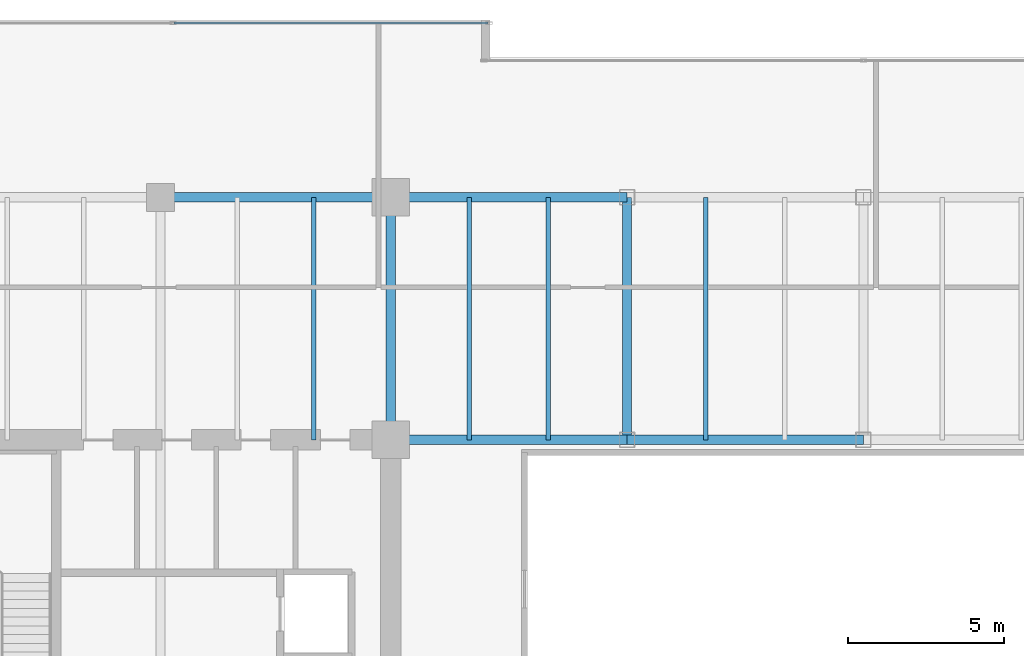
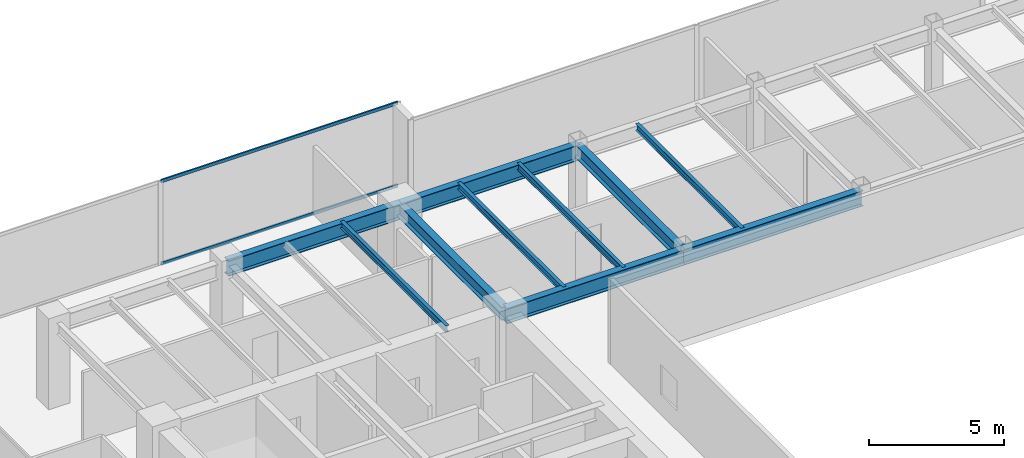
# One storey, part 15 of 30: 10 beams, 2 members, 1 element without a shape of its own.
"""IFC4 building model written with IfcOpenShell, lengths in metres."""

from ifc_helpers import new_model, si_unit, direction, frame, origin, origin_2d, place, context, subcontext, project, spatial, hollow_rectangle, i_section, extrude, source, transform, mapped, material, layer, layer_set, material_profile, profile_set, type_object, type_shapes, element, aggregate, save


model = new_model("IFC4")

# Units and contexts
model_context = context("Model", 3, precision=1e-05, world=origin(), true_north=direction((0.0, 1.0)))
body_context = subcontext(model_context, "Body", "Model", "MODEL_VIEW")
ifc_project = project(units=[si_unit("LENGTHUNIT", "METRE"), si_unit("AREAUNIT", "SQUARE_METRE"), si_unit("VOLUMEUNIT", "CUBIC_METRE"), si_unit("PLANEANGLEUNIT", "RADIAN"), si_unit("MASSUNIT", "GRAM", prefix="KILO")], contexts=[model_context])

# Site, building, storey
site_placement = place(None, origin())
site = spatial("IfcSite", under=ifc_project, at=site_placement, CompositionType="ELEMENT")
building_placement = place(site_placement, origin())
building = spatial("IfcBuilding", under=site, at=building_placement, Name="Haelvirn Gate Laboratories", CompositionType="ELEMENT")
storey_placement = place(building_placement, frame((0.0, 0.0, 187.10009765625)))
storey = spatial("IfcBuildingStorey", under=building, at=storey_placement, Name="L45", CompositionType="ELEMENT", Elevation=187.10009765625)

# Beams
ifc_material_1 = material(Name="Steel SM355", Category="steel")
ifc_material_profile_1 = material_profile(ifc_material_1, i_section(OverallWidth=0.300048828125, OverallDepth=0.699951171875, WebThickness=0.012939453125, FlangeThickness=0.02392578125, at=origin_2d()), Name="H-700x300x13x24")
ifc_profile_set_1 = profile_set([ifc_material_profile_1], Name="Steel SM355")
beam_type_1 = type_object("IfcBeamType", Name="BM-G-700", PredefinedType="BEAM", material=ifc_profile_set_1)
shared_shape_1 = source(origin(), body_context, "Body", "SweptSolid", [
    extrude(i_section(OverallWidth=0.300048828125, OverallDepth=0.699951171875, WebThickness=0.012939453125, FlangeThickness=0.02392578125, at=origin_2d()), origin(), (0.0, 0.0, 1.0), 7.39990234375),
])
beam_1_placement = place(storey_placement, frame((14.800048828125, 41.60009765625, 3.43994140625), z_axis=(1.0, 0.0, 0.0), x_axis=(0.0, 1.0, 0.0)))
element("IfcBeam", 1, at=beam_1_placement, inside=storey, type_object=beam_type_1, Name="L45 Primary Girder Y41.6 (14.8-22.2)", PredefinedType="BEAM", context=body_context, shape_type="MappedRepresentation", body=[
    mapped(shared_shape_1, transform((0.0, 0.0, 0.0), scale=1.0)),
])
shared_shape_2 = source(origin(), body_context, "Body", "SweptSolid", [
    extrude(i_section(OverallWidth=0.300048828125, OverallDepth=0.699951171875, WebThickness=0.012939453125, FlangeThickness=0.02392578125, at=origin_2d()), origin(), (0.0, 0.0, 1.0), 7.60009765625),
])
for number, where, z_axis, x_axis, name in (
    (2, (22.199951171875, 33.800048828125, 3.43994140625), (1.0, 0.0, 0.0), (0.0, 1.0, 0.0), "L45 Primary Girder Y33.8 (22.2-29.8)"),
    (3, (22.199951171875, 41.60009765625, 3.43994140625), (1.0, 0.0, 0.0), (0.0, 1.0, 0.0), "L45 Primary Girder Y41.6 (22.2-29.8)"),
):
    element("IfcBeam", number, at=place(storey_placement, frame(where, z_axis=z_axis, x_axis=x_axis)), inside=storey, type_object=beam_type_1, Name=name, PredefinedType="BEAM", context=body_context, shape_type="MappedRepresentation", body=[
        mapped(shared_shape_2, transform((0.0, 0.0, 0.0), scale=1.0)),
    ])
shared_shape_3 = source(origin(), body_context, "Body", "SweptSolid", [
    extrude(i_section(OverallWidth=0.300048828125, OverallDepth=0.699951171875, WebThickness=0.012939453125, FlangeThickness=0.02392578125, at=origin_2d()), origin(), (0.0, 0.0, 1.0), 7.599853515625),
])
type_shapes(beam_type_1, [shared_shape_1, shared_shape_2, shared_shape_3])
beam_2_placement = place(storey_placement, frame((29.800048828125, 33.800048828125, 3.43994140625), z_axis=(1.0, 0.0, 0.0), x_axis=(0.0, 1.0, 0.0)))
element("IfcBeam", 4, at=beam_2_placement, inside=storey, type_object=beam_type_1, Name="L45 Primary Girder Y33.8 (29.8-37.4)", PredefinedType="BEAM", context=body_context, shape_type="MappedRepresentation", body=[
    mapped(shared_shape_3, transform((0.0, 0.0, 0.0), scale=1.0)),
])
ifc_material_profile_2 = material_profile(ifc_material_1, i_section(OverallWidth=0.14990234375, OverallDepth=0.300048828125, WebThickness=0.006591796875, FlangeThickness=0.009033203125, at=origin_2d()), Name="H-300x150x6.5x9")
ifc_profile_set_2 = profile_set([ifc_material_profile_2], Name="Steel SM355")
beam_type_2 = type_object("IfcBeamType", Name="BM-J-300", PredefinedType="JOIST", material=ifc_profile_set_2)
shared_shape_4 = source(origin(), body_context, "Body", "SweptSolid", [
    extrude(i_section(OverallWidth=0.14990234375, OverallDepth=0.300048828125, WebThickness=0.006591796875, FlangeThickness=0.009033203125, at=origin_2d()), origin(), (0.0, 0.0, 1.0), 7.800048828125),
])
type_shapes(beam_type_2, [shared_shape_4])
for number, where, z_axis, x_axis, name in (
    (5, (19.72998046875, 33.800048828125, 3.639892578125), (0.0, 1.0, 0.0), (-1.0, 0.0, 0.0), "L45 Composite Lab Joist North X19.73"),
    (6, (24.72998046875, 33.800048828125, 3.639892578125), (0.0, 1.0, 0.0), (-1.0, 0.0, 0.0), "L45 Composite Lab Joist North X24.73"),
    (7, (27.27001953125, 33.800048828125, 3.639892578125), (0.0, 1.0, 0.0), (-1.0, 0.0, 0.0), "L45 Composite Lab Joist North X27.27"),
    (8, (32.330078125, 33.800048828125, 3.639892578125), (0.0, 1.0, 0.0), (-1.0, 0.0, 0.0), "L45 Composite Lab Joist North X32.33"),
):
    element("IfcBeam", number, at=place(storey_placement, frame(where, z_axis=z_axis, x_axis=x_axis)), inside=storey, type_object=beam_type_2, Name=name, PredefinedType="JOIST", context=body_context, shape_type="MappedRepresentation", body=[
        mapped(shared_shape_4, transform((0.0, 0.0, 0.0), scale=1.0)),
    ])
ifc_material_profile_3 = material_profile(ifc_material_1, i_section(OverallWidth=0.300048828125, OverallDepth=0.587890625, WebThickness=0.011962890625, FlangeThickness=0.02001953125, at=origin_2d()), Name="H-588x300x12x20")
ifc_profile_set_3 = profile_set([ifc_material_profile_3], Name="Steel SM355")
beam_type_3 = type_object("IfcBeamType", Name="BM-G-588", PredefinedType="BEAM", material=ifc_profile_set_3)
shared_shape_5 = source(origin(), body_context, "Body", "SweptSolid", [
    extrude(i_section(OverallWidth=0.300048828125, OverallDepth=0.587890625, WebThickness=0.011962890625, FlangeThickness=0.02001953125, at=origin_2d()), origin(), (0.0, 0.0, 1.0), 7.800048828125),
])
type_shapes(beam_type_3, [shared_shape_5])
for number, where, z_axis, x_axis, name in (
    (9, (22.199951171875, 33.800048828125, 3.495849609375), (0.0, 1.0, 0.0), (-1.0, 0.0, 0.0), "L45 Frame Girder X22.2 (33.8-41.6)"),
    (10, (29.800048828125, 33.800048828125, 3.495849609375), (0.0, 1.0, 0.0), (-1.0, 0.0, 0.0), "L45 Frame Girder X29.8 (33.8-41.6)"),
):
    element("IfcBeam", number, at=place(storey_placement, frame(where, z_axis=z_axis, x_axis=x_axis)), inside=storey, type_object=beam_type_3, Name=name, PredefinedType="BEAM", context=body_context, shape_type="MappedRepresentation", body=[
        mapped(shared_shape_5, transform((0.0, 0.0, 0.0), scale=1.0)),
    ])

# Curtain wall, members
ifc_material_2 = material(Name="Anodised bronze unitised aluminium & triple low-E glass", Category="aluminium")
ifc_layer = layer(ifc_material_2, 0.179931640625, Name="CW-SYS-3")
ifc_layer_set = layer_set([ifc_layer], Name="Anodised bronze unitised aluminium & triple low-E glass")
curtain_wall_type = type_object("IfcCurtainWallType", Name="CW-SYS-3", PredefinedType="NOTDEFINED", material=ifc_layer_set)
curtain_wall_placement = place(storey_placement, origin())
curtain_wall = element("IfcCurtainWall", 11, at=curtain_wall_placement, inside=storey, type_object=curtain_wall_type, Name="L45 Unitised Curtain Wall CW-L45-P0-E14-1", PredefinedType="NOTDEFINED")
ifc_material_3 = material(Name="Extruded aluminium 6063-T6 (anodised bronze)", Category="aluminium")
ifc_material_profile_4 = material_profile(ifc_material_3, hollow_rectangle(XDim=0.06494140625, YDim=0.139892578125, WallThickness=0.00390625, at=origin_2d()), Name="CWT-140x65x4")
ifc_profile_set_4 = profile_set([ifc_material_profile_4], Name="Extruded aluminium 6063-T6 (anodised bronze)")
member_type = type_object("IfcMemberType", Name="CWT-T140", PredefinedType="USERDEFINED", material=ifc_profile_set_4)
shared_shape_6 = source(origin(), body_context, "Body", "SweptSolid", [
    extrude(hollow_rectangle(XDim=0.06494140625, YDim=0.139892578125, WallThickness=0.00390625, at=origin_2d()), origin(), (0.0, 0.0, 1.0), 10.08740234375),
])
type_shapes(member_type, [shared_shape_6])
member_1_placement = place(storey_placement, frame((15.237548828125, 47.199951171875, 0.032470703125), z_axis=(1.0, 0.0, 0.0), x_axis=(0.0, 1.0, 0.0)))
member_1 = element("IfcMember", 12, at=member_1_placement, type_object=member_type, Name="CW3 transom 2.1", ObjectType="TRANSOM", PredefinedType="USERDEFINED", context=body_context, shape_type="MappedRepresentation", body=[
    mapped(shared_shape_6, transform((0.0, 0.0, 0.0), scale=1.0)),
])
member_2_placement = place(storey_placement, frame((15.237548828125, 47.199951171875, 3.75732421875), z_axis=(1.0, 0.0, 0.0), x_axis=(0.0, 1.0, 0.0)))
member_2 = element("IfcMember", 13, at=member_2_placement, type_object=member_type, Name="CW3 transom 2.2", ObjectType="TRANSOM", PredefinedType="USERDEFINED", context=body_context, shape_type="MappedRepresentation", body=[
    mapped(shared_shape_6, transform((0.0, 0.0, 0.0), scale=1.0)),
])
aggregate(curtain_wall, [member_1, member_2])

save(model, "model.ifc")
